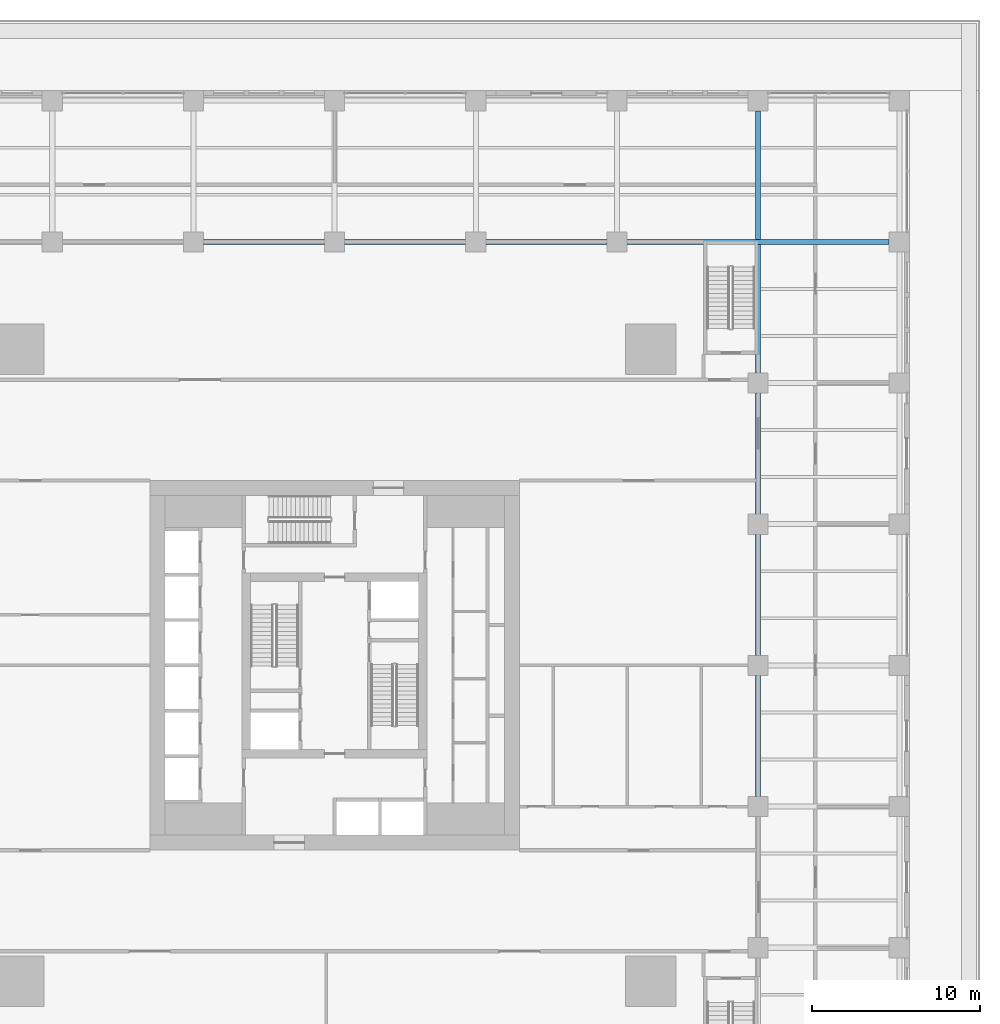
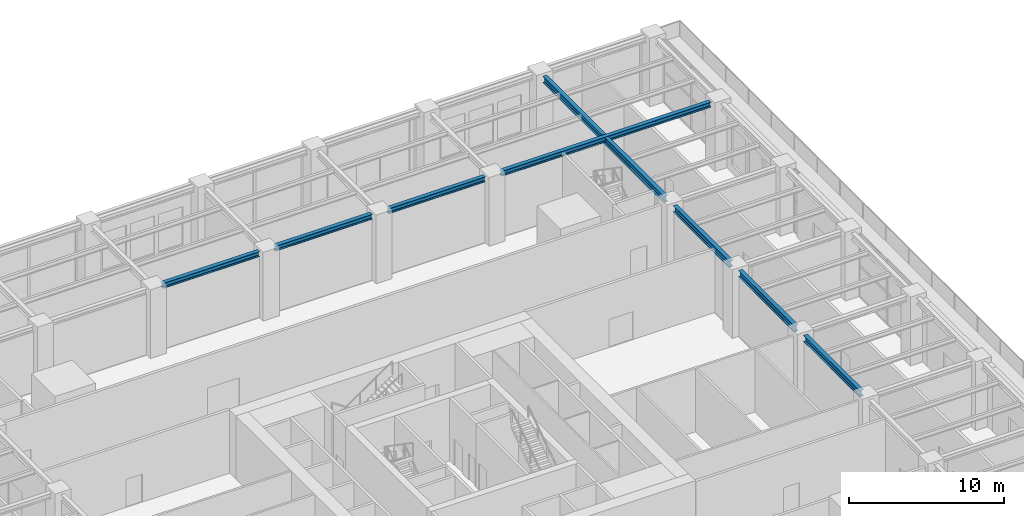
# One storey, part 6 of 36: 8 beams.
"""IFC4 building model written with IfcOpenShell, lengths in metres."""

from ifc_helpers import new_model, si_unit, direction, frame, origin, origin_2d, place, context, subcontext, project, spatial, i_section, extrude, material, material_profile, profile_set, type_object, element, save


model = new_model("IFC4")

# Units and contexts
model_context = context("Model", 3, precision=1e-05, world=origin(), true_north=direction((0.0, 1.0)))
body_context = subcontext(model_context, "Body", "Model", "MODEL_VIEW")
ifc_project = project(units=[si_unit("LENGTHUNIT", "METRE"), si_unit("AREAUNIT", "SQUARE_METRE"), si_unit("VOLUMEUNIT", "CUBIC_METRE"), si_unit("PLANEANGLEUNIT", "RADIAN"), si_unit("MASSUNIT", "GRAM", prefix="KILO")], contexts=[model_context])

# Site, building, storey
site_placement = place(None, origin())
site = spatial("IfcSite", under=ifc_project, at=site_placement, CompositionType="ELEMENT")
building_placement = place(site_placement, origin())
building = spatial("IfcBuilding", under=site, at=building_placement, Name="Khepri Terraces", CompositionType="ELEMENT")
storey_placement = place(building_placement, frame((0.0, 0.0, 16.800048828125)))
storey = spatial("IfcBuildingStorey", under=building, at=storey_placement, Name="L03", CompositionType="ELEMENT", Elevation=16.800048828125)

# Beams
ifc_material = material(Name="Steel S355", Category="steel")
ifc_material_profile_1 = material_profile(ifc_material, i_section(OverallWidth=0.300048828125, OverallDepth=0.5, WebThickness=0.014404296875, FlangeThickness=0.028076171875, FilletRadius=0.027099609375, at=origin_2d()), Name="Steel S355", Category="steel")
ifc_profile_set_1 = profile_set([ifc_material_profile_1], Name="Steel S355")
beam_type_1 = type_object("IfcBeamType", Name="Podium girder L04 HEB 500", PredefinedType="BEAM", material=ifc_profile_set_1)
beam_1_placement = place(storey_placement, frame((25.199951171875, 17.39990234375, 4.949951171875), z_axis=(0.0, 1.0, 0.0), x_axis=(-1.0, 0.0, 0.0)))
element("IfcBeam", 1, at=beam_1_placement, inside=storey, type_object=beam_type_1, Name="Podium girder L04 030", PredefinedType="BEAM", context=body_context, shape_type="SweptSolid", body=[
    extrude(i_section(OverallWidth=0.300048828125, OverallDepth=0.5, WebThickness=0.014404296875, FlangeThickness=0.028076171875, FilletRadius=0.027099609375, at=origin_2d()), origin(), (0.0, 0.0, 1.0), 15.60009765625),
])
ifc_material_profile_2 = material_profile(ifc_material, i_section(OverallWidth=0.300048828125, OverallDepth=0.39990234375, WebThickness=0.013427734375, FlangeThickness=0.02392578125, FilletRadius=0.027099609375, at=origin_2d()), Name="Steel S355", Category="steel")
ifc_profile_set_2 = profile_set([ifc_material_profile_2], Name="Steel S355")
beam_type_2 = type_object("IfcBeamType", Name="Podium girder L04 grid line HEB 400", PredefinedType="BEAM", material=ifc_profile_set_2)
for number, where, z_axis, x_axis, name in (
    (2, (-7.800048828125, 25.199951171875, 5.0), (1.0, 0.0, 0.0), (0.0, 1.0, 0.0), "Podium grid-line girder L04 067"),
    (3, (0.60009765625, 25.199951171875, 5.0), (1.0, 0.0, 0.0), (0.0, 1.0, 0.0), "Podium grid-line girder L04 068"),
    (4, (9.0, 25.199951171875, 5.0), (1.0, 0.0, 0.0), (0.0, 1.0, 0.0), "Podium grid-line girder L04 069"),
):
    element("IfcBeam", number, at=place(storey_placement, frame(where, z_axis=z_axis, x_axis=x_axis)), inside=storey, type_object=beam_type_2, Name=name, PredefinedType="BEAM", context=body_context, shape_type="SweptSolid", body=[
        extrude(i_section(OverallWidth=0.300048828125, OverallDepth=0.39990234375, WebThickness=0.013427734375, FlangeThickness=0.02392578125, FilletRadius=0.027099609375, at=origin_2d()), origin(), (0.0, 0.0, 1.0), 7.199951171875),
    ])
beam_2_placement = place(storey_placement, frame((17.39990234375, 25.199951171875, 5.0), z_axis=(1.0, 0.0, 0.0), x_axis=(0.0, 1.0, 0.0)))
element("IfcBeam", 5, at=beam_2_placement, inside=storey, type_object=beam_type_2, Name="Podium grid-line girder L04 070", PredefinedType="BEAM", context=body_context, shape_type="SweptSolid", body=[
    extrude(i_section(OverallWidth=0.300048828125, OverallDepth=0.39990234375, WebThickness=0.013427734375, FlangeThickness=0.02392578125, FilletRadius=0.027099609375, at=origin_2d()), origin(), (0.0, 0.0, 1.0), 15.60009765625),
])
ifc_material_profile_3 = material_profile(ifc_material, i_section(OverallWidth=0.300048828125, OverallDepth=0.5, WebThickness=0.014404296875, FlangeThickness=0.028076171875, FilletRadius=0.027099609375, at=origin_2d()), Name="Steel S355", Category="steel")
ifc_profile_set_3 = profile_set([ifc_material_profile_3], Name="Steel S355")
beam_type_3 = type_object("IfcBeamType", Name="Tower ring beam HEB 500", PredefinedType="BEAM", material=ifc_profile_set_3)
for number, where, z_axis, x_axis, name in (
    (6, (25.199951171875, -7.800048828125, 4.949951171875), (0.0, 1.0, 0.0), (-1.0, 0.0, 0.0), "Ring beam L04 027"),
    (7, (25.199951171875, 0.60009765625, 4.949951171875), (0.0, 1.0, 0.0), (-1.0, 0.0, 0.0), "Ring beam L04 028"),
    (8, (25.199951171875, 9.0, 4.949951171875), (0.0, 1.0, 0.0), (-1.0, 0.0, 0.0), "Ring beam L04 029"),
):
    element("IfcBeam", number, at=place(storey_placement, frame(where, z_axis=z_axis, x_axis=x_axis)), inside=storey, type_object=beam_type_3, Name=name, PredefinedType="BEAM", context=body_context, shape_type="SweptSolid", body=[
        extrude(i_section(OverallWidth=0.300048828125, OverallDepth=0.5, WebThickness=0.014404296875, FlangeThickness=0.028076171875, FilletRadius=0.027099609375, at=origin_2d()), origin(), (0.0, 0.0, 1.0), 7.199951171875),
    ])

save(model, "model.ifc")
